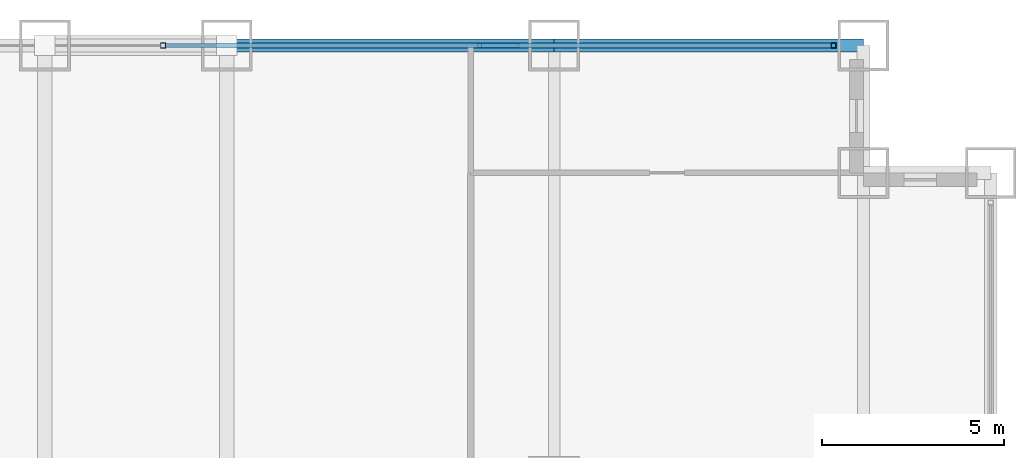
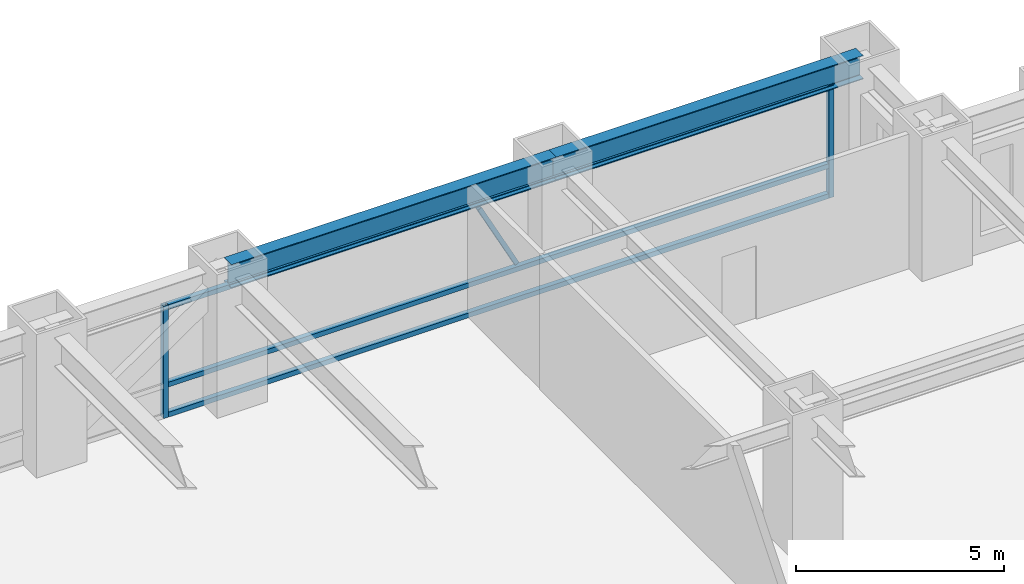
# One storey, part 21 of 28: 6 members, 2 beams, 1 element without a shape of its own.
"""IFC4 building model written with IfcOpenShell, lengths in metres."""

from ifc_helpers import new_model, si_unit, direction, frame, origin, origin_2d, place, context, subcontext, project, spatial, hollow_rectangle, i_section, extrude, source, transform, mapped, material, material_profile, profile_set, type_object, element, aggregate, save


model = new_model("IFC4")

# Units and contexts
model_context = context("Model", 3, precision=1e-05, world=origin(), true_north=direction((0.0, 1.0)))
body_context = subcontext(model_context, "Body", "Model", "MODEL_VIEW")
ifc_project = project(units=[si_unit("LENGTHUNIT", "METRE"), si_unit("AREAUNIT", "SQUARE_METRE"), si_unit("VOLUMEUNIT", "CUBIC_METRE"), si_unit("PLANEANGLEUNIT", "RADIAN"), si_unit("MASSUNIT", "GRAM", prefix="KILO")], contexts=[model_context])

# Site, building, storey
site_placement = place(None, origin())
site = spatial("IfcSite", under=ifc_project, at=site_placement, CompositionType="ELEMENT")
building_placement = place(site_placement, origin())
building = spatial("IfcBuilding", under=site, at=building_placement, Name="Khorayat Bourse Tower", CompositionType="ELEMENT")
storey_placement = place(building_placement, frame((0.0, 0.0, 57.800048828125)))
storey = spatial("IfcBuildingStorey", under=building, at=storey_placement, Name="L12", CompositionType="ELEMENT", Elevation=57.800048828125)

# Beams
ifc_material_1 = material(Name="Steel ASTM A992 Grade 50", Category="steel")
ifc_material_profile_1 = material_profile(ifc_material_1, i_section(OverallWidth=0.35498046875, OverallDepth=0.695068359375, WebThickness=0.015380859375, FlangeThickness=0.02490234375, FilletRadius=0.01806640625, at=origin_2d()), Name="W690X217")
ifc_profile_set_1 = profile_set([ifc_material_profile_1], Name="Steel ASTM A992 Grade 50")
beam_type = type_object("IfcBeamType", Name="BM-SPAN-690", PredefinedType="SPANDREL", material=ifc_profile_set_1)
shared_shape_1 = source(origin(), body_context, "Body", "SweptSolid", [
    extrude(i_section(OverallWidth=0.35498046875, OverallDepth=0.695068359375, WebThickness=0.015380859375, FlangeThickness=0.02490234375, FilletRadius=0.01806640625, at=origin_2d()), origin(), (0.0, 0.0, 1.0), 8.5),
])
beam_1_placement = place(storey_placement, frame((20.0, 32.0, 3.592529296875), z_axis=(1.0, 0.0, 0.0), x_axis=(0.0, 1.0, 0.0)))
element("IfcBeam", 1, at=beam_1_placement, inside=storey, type_object=beam_type, Name="L12 BM-SPAN-690 BM-L12-SPN-044", PredefinedType="SPANDREL", context=body_context, shape_type="MappedRepresentation", body=[
    mapped(shared_shape_1, transform((0.0, 0.0, 0.0), scale=1.0)),
])
shared_shape_2 = source(origin(), body_context, "Body", "SweptSolid", [
    extrude(i_section(OverallWidth=0.35498046875, OverallDepth=0.695068359375, WebThickness=0.015380859375, FlangeThickness=0.02490234375, FilletRadius=0.01806640625, at=origin_2d()), origin(), (0.0, 0.0, 1.0), 9.0),
])
beam_2_placement = place(storey_placement, frame((11.0, 32.0, 3.592529296875), z_axis=(1.0, 0.0, 0.0), x_axis=(0.0, 1.0, 0.0)))
element("IfcBeam", 2, at=beam_2_placement, inside=storey, type_object=beam_type, Name="L12 BM-SPAN-690 BM-L12-SPN-045", PredefinedType="SPANDREL", context=body_context, shape_type="MappedRepresentation", body=[
    mapped(shared_shape_2, transform((0.0, 0.0, 0.0), scale=1.0)),
])

# Curtain wall, members
ifc_material_2 = material(Name="Aluminium EN AW-6063 T6", Category="aluminium")
curtain_wall_type = type_object("IfcCurtainWallType", Name="CW-SYS-02", PredefinedType="NOTDEFINED", material=ifc_material_2)
curtain_wall_placement = place(storey_placement, origin())
curtain_wall = element("IfcCurtainWall", 3, at=curtain_wall_placement, inside=storey, type_object=curtain_wall_type, Name="L12 Curtain Wall CW-L12-N1", PredefinedType="NOTDEFINED")
ifc_material_profile_2 = material_profile(ifc_material_2, hollow_rectangle(XDim=0.139892578125, YDim=0.139892578125, WallThickness=0.006103515625, at=origin_2d()), Name="ALU 140x140x6")
ifc_profile_set_2 = profile_set([ifc_material_profile_2], Name="Aluminium EN AW-6063 T6")
member_type_1 = type_object("IfcMemberType", Name="CWT-HORZ-140", PredefinedType="USERDEFINED", material=ifc_profile_set_2)
shared_shape_3 = source(origin(), body_context, "Body", "SweptSolid", [
    extrude(hollow_rectangle(XDim=0.139892578125, YDim=0.139892578125, WallThickness=0.006103515625, at=origin_2d()), origin(), (0.0, 0.0, 1.0), 18.2900390625),
])
member_1_placement = place(storey_placement, frame((9.320068359375, 32.0, 0.070068359375), z_axis=(1.0, 0.0, 0.0), x_axis=(0.0, 1.0, 0.0)))
member_1 = element("IfcMember", 4, at=member_1_placement, type_object=member_type_1, Name="CW-L12-N1 Horizontal Transom 3-1", ObjectType="TRANSOM", PredefinedType="USERDEFINED", context=body_context, shape_type="MappedRepresentation", body=[
    mapped(shared_shape_3, transform((0.0, 0.0, 0.0), scale=1.0)),
])
member_2_placement = place(storey_placement, frame((9.320068359375, 32.0, 0.949951171875), z_axis=(1.0, 0.0, 0.0), x_axis=(0.0, 1.0, 0.0)))
member_2 = element("IfcMember", 5, at=member_2_placement, type_object=member_type_1, Name="CW-L12-N1 Horizontal Transom 3-2", ObjectType="TRANSOM", PredefinedType="USERDEFINED", context=body_context, shape_type="MappedRepresentation", body=[
    mapped(shared_shape_3, transform((0.0, 0.0, 0.0), scale=1.0)),
])
member_3_placement = place(storey_placement, frame((9.320068359375, 32.0, 3.219970703125), z_axis=(1.0, 0.0, 0.0), x_axis=(0.0, 1.0, 0.0)))
member_3 = element("IfcMember", 6, at=member_3_placement, type_object=member_type_1, Name="CW-L12-N1 Horizontal Transom 3-3", ObjectType="TRANSOM", PredefinedType="USERDEFINED", context=body_context, shape_type="MappedRepresentation", body=[
    mapped(shared_shape_3, transform((0.0, 0.0, 0.0), scale=1.0)),
])
ifc_material_profile_3 = material_profile(ifc_material_2, hollow_rectangle(XDim=0.139892578125, YDim=0.139892578125, WallThickness=0.006103515625, at=origin_2d()), Name="ALU 140x140x6")
ifc_profile_set_3 = profile_set([ifc_material_profile_3], Name="Aluminium EN AW-6063 T6")
member_type_2 = type_object("IfcMemberType", Name="CWM-VERT-140", PredefinedType="MULLION", material=ifc_profile_set_3)
shared_shape_4 = source(origin(), body_context, "Body", "SweptSolid", [
    extrude(hollow_rectangle(XDim=0.139892578125, YDim=0.139892578125, WallThickness=0.006103515625, at=origin_2d()), origin(), (0.0, 0.0, 1.0), 3.2900390625),
])
member_4_placement = place(storey_placement, frame((9.25, 32.0, 0.0), z_axis=(0.0, 0.0, 1.0), x_axis=(0.0, 1.0, 0.0)))
member_4 = element("IfcMember", 7, at=member_4_placement, type_object=member_type_2, Name="CW-L12-N1 Vertical Mullion 3", PredefinedType="MULLION", context=body_context, shape_type="MappedRepresentation", body=[
    mapped(shared_shape_4, transform((0.0, 0.0, 0.0), scale=1.0)),
])
member_5_placement = place(storey_placement, frame((27.679931640625, 32.0, 0.0), z_axis=(0.0, 0.0, 1.0), x_axis=(0.0, 1.0, 0.0)))
member_5 = element("IfcMember", 8, at=member_5_placement, type_object=member_type_2, Name="CW-L12-N1 Vertical Mullion 4", PredefinedType="MULLION", context=body_context, shape_type="MappedRepresentation", body=[
    mapped(shared_shape_4, transform((0.0, 0.0, 0.0), scale=1.0)),
])
ifc_material_profile_4 = material_profile(ifc_material_2, hollow_rectangle(XDim=0.1201171875, YDim=0.1201171875, WallThickness=0.0048828125, at=origin_2d()), Name="ALU 120x120x5")
ifc_profile_set_4 = profile_set([ifc_material_profile_4], Name="Aluminium EN AW-6063 T6")
member_type_3 = type_object("IfcMemberType", Name="CWM-DIAG-120", PredefinedType="MULLION", material=ifc_profile_set_4)
shared_shape_5 = source(origin(), body_context, "Body", "SweptSolid", [
    extrude(hollow_rectangle(XDim=0.1201171875, YDim=0.1201171875, WallThickness=0.0048828125, at=origin_2d()), origin(), (0.0, 0.0, 1.0), 2.226318359375),
])
member_6_placement = place(storey_placement, frame((18.9833984375, 32.0, 1.099853515625), z_axis=(-0.465714796031, 0.0, 0.884934872608), x_axis=(0.0, -1.0, 0.0)))
member_6 = element("IfcMember", 9, at=member_6_placement, type_object=member_type_3, Name="CW-L12-N1 Faceted Diagonal Mullion 3", PredefinedType="MULLION", context=body_context, shape_type="MappedRepresentation", body=[
    mapped(shared_shape_5, transform((0.0, 0.0, 0.0), scale=1.0)),
])
aggregate(curtain_wall, [member_4, member_5, member_1, member_2, member_3, member_6])

save(model, "model.ifc")
